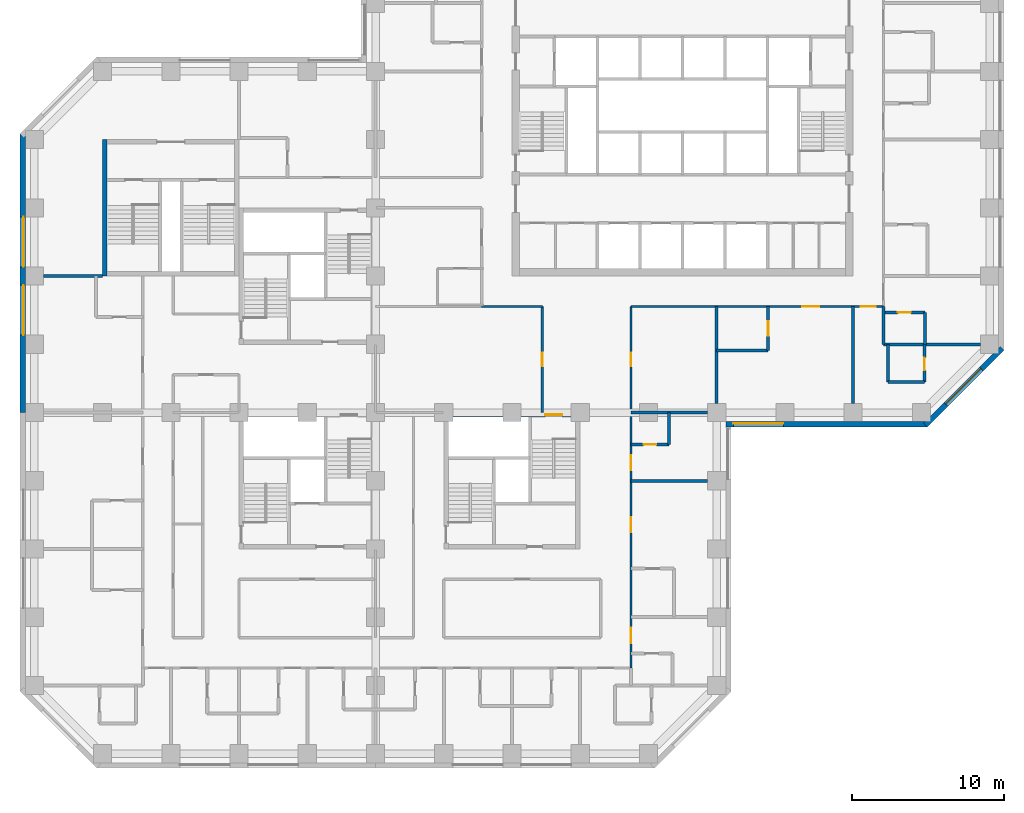
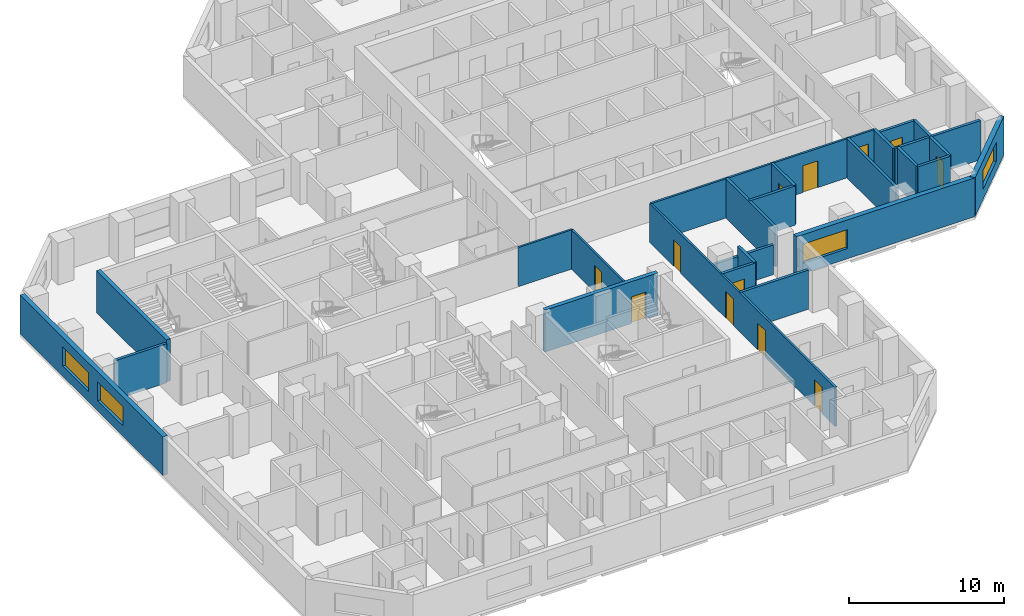
# One storey, part 5 of 12: 25 walls, 12 doors, 4 windows, 16 openings.
"""IFC4 building model written with IfcOpenShell, lengths in metres."""

from ifc_helpers import new_model, si_unit, direction, frame, frame_2d, origin, place, context, subcontext, project, spatial, rectangle, extrude, material, layer, layer_set, constituent, constituent_set, type_object, element, fill, save


model = new_model("IFC4")

# Units and contexts
model_context = context("Model", 3, precision=1e-05, world=origin(), true_north=direction((0.0, 1.0)))
body_context = subcontext(model_context, "Body", "Model", "MODEL_VIEW")
ifc_project = project(units=[si_unit("LENGTHUNIT", "METRE"), si_unit("AREAUNIT", "SQUARE_METRE"), si_unit("VOLUMEUNIT", "CUBIC_METRE"), si_unit("PLANEANGLEUNIT", "RADIAN"), si_unit("MASSUNIT", "GRAM", prefix="KILO")], contexts=[model_context])

# Site, building, storey
site_placement = place(None, origin())
site = spatial("IfcSite", under=ifc_project, at=site_placement, CompositionType="ELEMENT")
building_placement = place(site_placement, origin())
building = spatial("IfcBuilding", under=site, at=building_placement, Name="Quoin Convention Tower", CompositionType="ELEMENT")
storey_placement = place(building_placement, frame((0.0, 0.0, 29.699951171875)))
storey = spatial("IfcBuildingStorey", under=building, at=storey_placement, Name="L06", CompositionType="ELEMENT", Elevation=29.699951171875)

# Wall, opening, window
ifc_material_1 = material(Name="Brick masonry", Category="masonry")
ifc_layer_1 = layer(ifc_material_1, 0.35009765625)
ifc_layer_set_1 = layer_set([ifc_layer_1], Name="Brick masonry")
wall_type_1 = type_object("IfcWallType", Name="Brick facade wall", PredefinedType="STANDARD", material=ifc_layer_set_1)
wall_1_placement = place(storey_placement, frame((59.10009765625, 39.72509765625, 0.0), z_axis=(0.0, 0.0, 1.0), x_axis=(1.0, 0.0, 0.0)))
wall_1 = element("IfcWall", 1, at=wall_1_placement, inside=storey, type_object=wall_type_1, Name="fw-L06-58500_40500", PredefinedType="STANDARD", context=body_context, shape_type="SweptSolid", body=[
    extrude(rectangle(XDim=13.29345703125, YDim=0.35009765625, at=frame_2d((6.646728515625, 0.0))), origin(), (0.0, 0.0, 1.0), 3.054931640625),
])
opening_1_placement = place(wall_1_placement, frame((0.5, 0.0, 0.800048828125)))
opening_1 = element("IfcOpeningElement", 2, at=opening_1_placement, cuts=wall_1, Name="Opening W-01", PredefinedType="OPENING", context=body_context, shape_type="SweptSolid", body=[
    extrude(rectangle(XDim=3.300048828125, YDim=1.5, at=frame_2d((1.64990234375, 0.75))), frame((0.0, 0.18505859375, 0.0), z_axis=(0.0, -1.0, 0.0), x_axis=(1.0, 0.0, 0.0)), (0.0, 0.0, 1.0), 0.3701171875),
])
ifc_material_2 = material(Name="Aluminium", Category="aluminium")
ifc_constituent_1 = constituent(ifc_material_2, Name="Frame")
ifc_material_3 = material(Name="Insulated glass", Category="glass")
ifc_constituent_2 = constituent(ifc_material_3, Name="Glazing")
ifc_constituent_set = constituent_set(constituents=[ifc_constituent_1, ifc_constituent_2], Name="Aluminium")
window_type = type_object("IfcWindowType", Name="Hotel strip window", PartitioningType="DOUBLE_PANEL_VERTICAL", PredefinedType="WINDOW", material=ifc_constituent_set)
window_1_placement = place(opening_1_placement, origin())
window_1 = element("IfcWindow", 3, at=window_1_placement, inside=storey, type_object=window_type, Name="win-L06-60750_39725", OverallHeight=1.5, OverallWidth=3.300048828125, PartitioningType="SINGLE_PANEL", PredefinedType="WINDOW", context=body_context, shape_type="SweptSolid", body=[
    extrude(rectangle(XDim=3.300048828125, YDim=1.5, at=frame_2d((1.64990234375, 0.75))), frame((0.0, 0.0849609375, 0.0), z_axis=(0.0, -1.0, 0.0), x_axis=(1.0, 0.0, 0.0)), (0.0, 0.0, 1.0), 0.06005859375),
])
fill(opening_1, window_1)

wall_2_placement = place(storey_placement, frame((72.269775390625, 39.673583984375, 0.0), z_axis=(0.0, 0.0, 1.0), x_axis=(0.707106781187, 0.707106781187, 0.0)))
wall_2 = element("IfcWall", 4, at=wall_2_placement, inside=storey, type_object=wall_type_1, Name="fw-L06-72000_40500", PredefinedType="STANDARD", context=body_context, shape_type="SweptSolid", body=[
    extrude(rectangle(XDim=7.151123046875, YDim=0.35009765625, at=frame_2d((3.57568359375, 0.0))), origin(), (0.0, 0.0, 1.0), 3.054931640625),
])
opening_2_placement = place(wall_2_placement, frame((1.925537109375, 0.0, 0.800048828125)))
opening_2 = element("IfcOpeningElement", 5, at=opening_2_placement, cuts=wall_2, Name="Opening W-01", PredefinedType="OPENING", context=body_context, shape_type="SweptSolid", body=[
    extrude(rectangle(XDim=3.300048828125, YDim=1.5, at=frame_2d((1.64990234375, 0.75))), frame((0.0, 0.18505859375, 0.0), z_axis=(0.0, -1.0, 0.0), x_axis=(1.0, 0.0, 0.0)), (0.0, 0.0, 1.0), 0.3701171875),
])
window_2_placement = place(opening_2_placement, origin())
window_2 = element("IfcWindow", 6, at=window_2_placement, inside=storey, type_object=window_type, Name="win-L06-74798_42202", OverallHeight=1.5, OverallWidth=3.300048828125, PartitioningType="SINGLE_PANEL", PredefinedType="WINDOW", context=body_context, shape_type="SweptSolid", body=[
    extrude(rectangle(XDim=3.300048828125, YDim=1.5, at=frame_2d((1.64990234375, 0.75))), frame((0.0, 0.0849609375, 0.0), z_axis=(0.0, -1.0, 0.0), x_axis=(1.0, 0.0, 0.0)), (0.0, 0.0, 1.0), 0.06005859375),
])
fill(opening_2, window_2)

# Wall, openings, windows
wall_3_placement = place(storey_placement, frame((12.72509765625, 58.8935546875, 0.0), z_axis=(0.0, 0.0, 1.0), x_axis=(0.0, -1.0, 0.0)))
wall_3 = element("IfcWall", 7, at=wall_3_placement, inside=storey, type_object=wall_type_1, Name="fw-L06-13500_58500", PredefinedType="STANDARD", context=body_context, shape_type="SweptSolid", body=[
    extrude(rectangle(XDim=18.3935546875, YDim=0.35009765625, at=frame_2d((9.19677734375, 0.0))), origin(), (0.0, 0.0, 1.0), 3.054931640625),
])
opening_3_placement = place(wall_3_placement, frame((5.493408203125, 0.0, 0.800048828125)))
opening_3 = element("IfcOpeningElement", 8, at=opening_3_placement, cuts=wall_3, Name="Opening W-01", PredefinedType="OPENING", context=body_context, shape_type="SweptSolid", body=[
    extrude(rectangle(XDim=3.300048828125, YDim=1.5, at=frame_2d((1.64990234375, 0.75))), frame((0.0, 0.18505859375, 0.0), z_axis=(0.0, -1.0, 0.0), x_axis=(1.0, 0.0, 0.0)), (0.0, 0.0, 1.0), 0.3701171875),
])
opening_4_placement = place(wall_3_placement, frame((9.993408203125, 0.0, 0.800048828125)))
opening_4 = element("IfcOpeningElement", 9, at=opening_4_placement, cuts=wall_3, Name="Opening W-01", PredefinedType="OPENING", context=body_context, shape_type="SweptSolid", body=[
    extrude(rectangle(XDim=3.300048828125, YDim=1.5, at=frame_2d((1.64990234375, 0.75))), frame((0.0, 0.18505859375, 0.0), z_axis=(0.0, -1.0, 0.0), x_axis=(1.0, 0.0, 0.0)), (0.0, 0.0, 1.0), 0.3701171875),
])
window_3_placement = place(opening_3_placement, origin())
window_3 = element("IfcWindow", 10, at=window_3_placement, inside=storey, type_object=window_type, Name="win-L06-12725_51750", OverallHeight=1.5, OverallWidth=3.300048828125, PartitioningType="SINGLE_PANEL", PredefinedType="WINDOW", context=body_context, shape_type="SweptSolid", body=[
    extrude(rectangle(XDim=3.300048828125, YDim=1.5, at=frame_2d((1.64990234375, 0.75))), frame((0.0, 0.0849609375, 0.0), z_axis=(0.0, -1.0, 0.0), x_axis=(1.0, 0.0, 0.0)), (0.0, 0.0, 1.0), 0.06005859375),
])
fill(opening_3, window_3)
window_4_placement = place(opening_4_placement, origin())
window_4 = element("IfcWindow", 11, at=window_4_placement, inside=storey, type_object=window_type, Name="win-L06-12725_47250", OverallHeight=1.5, OverallWidth=3.300048828125, PartitioningType="SINGLE_PANEL", PredefinedType="WINDOW", context=body_context, shape_type="SweptSolid", body=[
    extrude(rectangle(XDim=3.300048828125, YDim=1.5, at=frame_2d((1.64990234375, 0.75))), frame((0.0, 0.0849609375, 0.0), z_axis=(0.0, -1.0, 0.0), x_axis=(1.0, 0.0, 0.0)), (0.0, 0.0, 1.0), 0.06005859375),
])
fill(opening_4, window_4)

# Wall, opening, door
ifc_material_4 = material(Name="Concrete C80", Category="concrete")
ifc_layer_2 = layer(ifc_material_4, 0.300048828125)
ifc_layer_set_2 = layer_set([ifc_layer_2], Name="Concrete C80")
wall_type_2 = type_object("IfcWallType", Name="RC CORE WALL 300 C80", PredefinedType="SHEAR", material=ifc_layer_set_2)
wall_4_placement = place(storey_placement, frame((40.800048828125, 40.35009765625, 0.0), z_axis=(0.0, 0.0, 1.0), x_axis=(1.0, 0.0, 0.0)))
wall_4 = element("IfcWall", 12, at=wall_4_placement, inside=storey, type_object=wall_type_2, Name="cwl-P3-L06-N", PredefinedType="SHEAR", context=body_context, shape_type="SweptSolid", body=[
    extrude(rectangle(XDim=8.39990234375, YDim=0.300048828125, at=frame_2d((4.199951171875, 0.0))), origin(), (0.0, 0.0, 1.0), 3.300048828125),
])
opening_5_placement = place(wall_4_placement, frame((6.39990234375, 0.0, 0.0)))
opening_5 = element("IfcOpeningElement", 13, at=opening_5_placement, cuts=wall_4, Name="Opening SD6", PredefinedType="OPENING", context=body_context, shape_type="SweptSolid", body=[
    extrude(rectangle(XDim=1.10009765625, YDim=2.10009765625, at=frame_2d((0.550048828125, 1.050048828125))), frame((0.0, 0.159912109375, 0.0), z_axis=(0.0, -1.0, 0.0), x_axis=(1.0, 0.0, 0.0)), (0.0, 0.0, 1.0), 0.320068359375),
])
ifc_material_5 = material(Name="Steel door leaf", Category="steel")
door_type_1 = type_object("IfcDoorType", Name="Stair door 1100 x 2100", OperationType="SINGLE_SWING_RIGHT", PredefinedType="DOOR", material=ifc_material_5)
door_1_placement = place(opening_5_placement, frame((1.10009765625, 0.0, 0.0), z_axis=(0.0, 0.0, 1.0), x_axis=(-1.0, 0.0, 0.0)))
door_1 = element("IfcDoor", 14, at=door_1_placement, inside=storey, type_object=door_type_1, Name="cd-P3-L06-SB-N", OperationType="SINGLE_SWING_LEFT", OverallHeight=2.10009765625, OverallWidth=1.10009765625, PredefinedType="DOOR", context=body_context, shape_type="SweptSolid", body=[
    extrude(rectangle(XDim=1.10009765625, YDim=2.10009765625, at=frame_2d((0.550048828125, 1.050048828125))), frame((0.0, 0.02490234375, 0.0), z_axis=(0.0, -1.0, 0.0), x_axis=(1.0, 0.0, 0.0)), (0.0, 0.0, 1.0), 0.050048828125),
])
fill(opening_5, door_1)

# Walls
wall_5_placement = place(storey_placement, frame((18.14990234375, 49.5, 0.0), z_axis=(0.0, 0.0, 1.0), x_axis=(0.0, 1.0, 0.0)))
element("IfcWall", 15, at=wall_5_placement, inside=storey, type_object=wall_type_2, Name="cwl-P6-L06-W", PredefinedType="SHEAR", context=body_context, shape_type="SweptSolid", body=[
    extrude(rectangle(XDim=9.0, YDim=0.300048828125, at=frame_2d((4.5, 0.0))), origin(), (0.0, 0.0, 1.0), 3.300048828125),
])
ifc_material_6 = material(Name="Concrete C50", Category="concrete")
ifc_layer_3 = layer(ifc_material_6, 0.199951171875)
ifc_layer_set_3 = layer_set([ifc_layer_3], Name="Concrete C50")
wall_type_3 = type_object("IfcWallType", Name="RC party wall", PredefinedType="SOLIDWALL", material=ifc_layer_set_3)
wall_6_placement = place(storey_placement, frame((52.85009765625, 36.0, 0.0), z_axis=(0.0, 0.0, 1.0), x_axis=(1.0, 0.0, 0.0)))
element("IfcWall", 16, at=wall_6_placement, inside=storey, type_object=wall_type_3, Name="pw-L06-072", PredefinedType="SOLIDWALL", context=body_context, shape_type="SweptSolid", body=[
    extrude(rectangle(XDim=5.0498046875, YDim=0.199951171875, at=frame_2d((2.52490234375, 0.0))), origin(), (0.0, 0.0, 1.0), 3.080078125),
])

# Wall, opening, door
wall_7_placement = place(storey_placement, frame((52.85009765625, 38.39990234375, 0.0), z_axis=(0.0, 0.0, 1.0), x_axis=(1.0, 0.0, 0.0)))
wall_7 = element("IfcWall", 17, at=wall_7_placement, inside=storey, type_object=wall_type_3, Name="pw-L06-073", PredefinedType="SOLIDWALL", context=body_context, shape_type="SweptSolid", body=[
    extrude(rectangle(XDim=2.5, YDim=0.199951171875, at=frame_2d((1.25, 0.0))), origin(), (0.0, 0.0, 1.0), 3.080078125),
])
opening_6_placement = place(wall_7_placement, frame((0.824951171875, 0.0, 0.0)))
opening_6 = element("IfcOpeningElement", 18, at=opening_6_placement, cuts=wall_7, Name="Opening DHOTEL-B-54", PredefinedType="OPENING", context=body_context, shape_type="SweptSolid", body=[
    extrude(rectangle(XDim=0.85009765625, YDim=2.10009765625, at=frame_2d((0.425048828125, 1.050048828125))), frame((0.0, 0.10986328125, 0.0), z_axis=(0.0, -1.0, 0.0), x_axis=(1.0, 0.0, 0.0)), (0.0, 0.0, 1.0), 0.219970703125),
])
door_type_2 = type_object("IfcDoorType", Name="Bathroom door", OperationType="SINGLE_SWING_LEFT", PredefinedType="DOOR", material=ifc_material_5)
door_2_placement = place(opening_6_placement, origin())
door_2 = element("IfcDoor", 19, at=door_2_placement, inside=storey, type_object=door_type_2, Name="dr-L06-026", OperationType="SINGLE_SWING_LEFT", OverallHeight=2.10009765625, OverallWidth=0.85009765625, PredefinedType="DOOR", context=body_context, shape_type="SweptSolid", body=[
    extrude(rectangle(XDim=0.85009765625, YDim=2.10009765625, at=frame_2d((0.425048828125, 1.050048828125))), frame((0.0, 0.02490234375, 0.0), z_axis=(0.0, -1.0, 0.0), x_axis=(1.0, 0.0, 0.0)), (0.0, 0.0, 1.0), 0.050048828125),
])
fill(opening_6, door_2)

# Walls
wall_8_placement = place(storey_placement, frame((55.35009765625, 38.39990234375, 0.0), z_axis=(0.0, 0.0, 1.0), x_axis=(0.0, 1.0, 0.0)))
element("IfcWall", 20, at=wall_8_placement, inside=storey, type_object=wall_type_3, Name="pw-L06-074", PredefinedType="SOLIDWALL", context=body_context, shape_type="SweptSolid", body=[
    extrude(rectangle(XDim=2.10009765625, YDim=0.199951171875, at=frame_2d((1.050048828125, 0.0))), origin(), (0.0, 0.0, 1.0), 3.080078125),
])
wall_9_placement = place(storey_placement, frame((67.5, 41.10009765625, 0.0), z_axis=(0.0, 0.0, 1.0), x_axis=(0.0, 1.0, 0.0)))
element("IfcWall", 21, at=wall_9_placement, inside=storey, type_object=wall_type_3, Name="pw-L06-076", PredefinedType="SOLIDWALL", context=body_context, shape_type="SweptSolid", body=[
    extrude(rectangle(XDim=6.39990234375, YDim=0.199951171875, at=frame_2d((3.199951171875, 0.0))), origin(), (0.0, 0.0, 1.0), 3.080078125),
])
wall_10_placement = place(storey_placement, frame((69.800048828125, 42.5, 0.0), z_axis=(0.0, 0.0, 1.0), x_axis=(1.0, 0.0, 0.0)))
element("IfcWall", 22, at=wall_10_placement, inside=storey, type_object=wall_type_3, Name="pw-L06-077", PredefinedType="SOLIDWALL", context=body_context, shape_type="SweptSolid", body=[
    extrude(rectangle(XDim=2.39990234375, YDim=0.199951171875, at=frame_2d((1.199951171875, 0.0))), origin(), (0.0, 0.0, 1.0), 3.080078125),
])
wall_11_placement = place(storey_placement, frame((69.800048828125, 42.5, 0.0), z_axis=(0.0, 0.0, 1.0), x_axis=(0.0, 1.0, 0.0)))
element("IfcWall", 23, at=wall_11_placement, inside=storey, type_object=wall_type_3, Name="pw-L06-078", PredefinedType="SOLIDWALL", context=body_context, shape_type="SweptSolid", body=[
    extrude(rectangle(XDim=2.5, YDim=0.199951171875, at=frame_2d((1.25, 0.0))), origin(), (0.0, 0.0, 1.0), 3.080078125),
])

# Wall, opening, door
wall_12_placement = place(storey_placement, frame((72.199951171875, 42.5, 0.0), z_axis=(0.0, 0.0, 1.0), x_axis=(0.0, 1.0, 0.0)))
wall_12 = element("IfcWall", 24, at=wall_12_placement, inside=storey, type_object=wall_type_3, Name="pw-L06-079", PredefinedType="SOLIDWALL", context=body_context, shape_type="SweptSolid", body=[
    extrude(rectangle(XDim=2.5, YDim=0.199951171875, at=frame_2d((1.25, 0.0))), origin(), (0.0, 0.0, 1.0), 3.080078125),
])
opening_7_placement = place(wall_12_placement, frame((0.77490234375, 0.0, 0.0)))
opening_7 = element("IfcOpeningElement", 25, at=opening_7_placement, cuts=wall_12, Name="Opening DHOTEL-B-55", PredefinedType="OPENING", context=body_context, shape_type="SweptSolid", body=[
    extrude(rectangle(XDim=0.85009765625, YDim=2.10009765625, at=frame_2d((0.425048828125, 1.050048828125))), frame((0.0, 0.10986328125, 0.0), z_axis=(0.0, -1.0, 0.0), x_axis=(1.0, 0.0, 0.0)), (0.0, 0.0, 1.0), 0.219970703125),
])
door_3_placement = place(opening_7_placement, frame((0.85009765625, 0.0, 0.0), z_axis=(0.0, 0.0, 1.0), x_axis=(-1.0, 0.0, 0.0)))
door_3 = element("IfcDoor", 26, at=door_3_placement, inside=storey, type_object=door_type_2, Name="dr-L06-068", OperationType="SINGLE_SWING_LEFT", OverallHeight=2.10009765625, OverallWidth=0.85009765625, PredefinedType="DOOR", context=body_context, shape_type="SweptSolid", body=[
    extrude(rectangle(XDim=0.85009765625, YDim=2.10009765625, at=frame_2d((0.425048828125, 1.050048828125))), frame((0.0, 0.02490234375, 0.0), z_axis=(0.0, -1.0, 0.0), x_axis=(1.0, 0.0, 0.0)), (0.0, 0.0, 1.0), 0.050048828125),
])
fill(opening_7, door_3)

# Wall
wall_13_placement = place(storey_placement, frame((58.5, 44.60009765625, 0.0), z_axis=(0.0, 0.0, 1.0), x_axis=(1.0, 0.0, 0.0)))
element("IfcWall", 27, at=wall_13_placement, inside=storey, type_object=wall_type_3, Name="pw-L06-080", PredefinedType="SOLIDWALL", context=body_context, shape_type="SweptSolid", body=[
    extrude(rectangle(XDim=3.39990234375, YDim=0.199951171875, at=frame_2d((1.699951171875, 0.0))), origin(), (0.0, 0.0, 1.0), 3.080078125),
])

# Wall, opening, door
wall_14_placement = place(storey_placement, frame((61.89990234375, 44.60009765625, 0.0), z_axis=(0.0, 0.0, 1.0), x_axis=(0.0, 1.0, 0.0)))
wall_14 = element("IfcWall", 28, at=wall_14_placement, inside=storey, type_object=wall_type_3, Name="pw-L06-081", PredefinedType="SOLIDWALL", context=body_context, shape_type="SweptSolid", body=[
    extrude(rectangle(XDim=2.89990234375, YDim=0.199951171875, at=frame_2d((1.449951171875, 0.0))), origin(), (0.0, 0.0, 1.0), 3.080078125),
])
opening_8_placement = place(wall_14_placement, frame((0.97509765625, 0.0, 0.0)))
opening_8 = element("IfcOpeningElement", 29, at=opening_8_placement, cuts=wall_14, Name="Opening DHOTEL-B-56", PredefinedType="OPENING", context=body_context, shape_type="SweptSolid", body=[
    extrude(rectangle(XDim=0.949951171875, YDim=2.10009765625, at=frame_2d((0.47509765625, 1.050048828125))), frame((0.0, 0.10986328125, 0.0), z_axis=(0.0, -1.0, 0.0), x_axis=(1.0, 0.0, 0.0)), (0.0, 0.0, 1.0), 0.219970703125),
])
door_type_3 = type_object("IfcDoorType", Name="Accessible bathroom door", OperationType="SINGLE_SWING_LEFT", PredefinedType="DOOR", material=ifc_material_5)
door_4_placement = place(opening_8_placement, frame((0.949951171875, 0.0, 0.0), z_axis=(0.0, 0.0, 1.0), x_axis=(-1.0, 0.0, 0.0)))
door_4 = element("IfcDoor", 30, at=door_4_placement, inside=storey, type_object=door_type_3, Name="dr-L06-056", OperationType="SINGLE_SWING_LEFT", OverallHeight=2.10009765625, OverallWidth=0.949951171875, PredefinedType="DOOR", context=body_context, shape_type="SweptSolid", body=[
    extrude(rectangle(XDim=0.949951171875, YDim=2.10009765625, at=frame_2d((0.47509765625, 1.050048828125))), frame((0.0, 0.02490234375, 0.0), z_axis=(0.0, -1.0, 0.0), x_axis=(1.0, 0.0, 0.0)), (0.0, 0.0, 1.0), 0.050048828125),
])
fill(opening_8, door_4)

# Walls
wall_15_placement = place(storey_placement, frame((69.5, 45.0, 0.0), z_axis=(0.0, 0.0, 1.0), x_axis=(1.0, 0.0, 0.0)))
element("IfcWall", 31, at=wall_15_placement, inside=storey, type_object=wall_type_3, Name="pw-L06-082", PredefinedType="SOLIDWALL", context=body_context, shape_type="SweptSolid", body=[
    extrude(rectangle(XDim=6.39990234375, YDim=0.199951171875, at=frame_2d((3.199951171875, 0.0))), origin(), (0.0, 0.0, 1.0), 3.080078125),
])
wall_16_placement = place(storey_placement, frame((69.5, 45.0, 0.0), z_axis=(0.0, 0.0, 1.0), x_axis=(0.0, 1.0, 0.0)))
element("IfcWall", 32, at=wall_16_placement, inside=storey, type_object=wall_type_3, Name="pw-L06-083", PredefinedType="SOLIDWALL", context=body_context, shape_type="SweptSolid", body=[
    extrude(rectangle(XDim=2.5, YDim=0.199951171875, at=frame_2d((1.25, 0.0))), origin(), (0.0, 0.0, 1.0), 3.080078125),
])
wall_17_placement = place(storey_placement, frame((72.25, 45.0, 0.0), z_axis=(0.0, 0.0, 1.0), x_axis=(0.0, 1.0, 0.0)))
element("IfcWall", 33, at=wall_17_placement, inside=storey, type_object=wall_type_3, Name="pw-L06-084", PredefinedType="SOLIDWALL", context=body_context, shape_type="SweptSolid", body=[
    extrude(rectangle(XDim=2.10009765625, YDim=0.199951171875, at=frame_2d((1.050048828125, 0.0))), origin(), (0.0, 0.0, 1.0), 3.080078125),
])

# Wall, opening, door
wall_18_placement = place(storey_placement, frame((69.5, 47.10009765625, 0.0), z_axis=(0.0, 0.0, 1.0), x_axis=(1.0, 0.0, 0.0)))
wall_18 = element("IfcWall", 34, at=wall_18_placement, inside=storey, type_object=wall_type_3, Name="pw-L06-087", PredefinedType="SOLIDWALL", context=body_context, shape_type="SweptSolid", body=[
    extrude(rectangle(XDim=2.75, YDim=0.199951171875, at=frame_2d((1.375, 0.0))), origin(), (0.0, 0.0, 1.0), 3.080078125),
])
opening_9_placement = place(wall_18_placement, frame((0.949951171875, 0.0, 0.0)))
opening_9 = element("IfcOpeningElement", 35, at=opening_9_placement, cuts=wall_18, Name="Opening DHOTEL-B-58", PredefinedType="OPENING", context=body_context, shape_type="SweptSolid", body=[
    extrude(rectangle(XDim=0.85009765625, YDim=2.10009765625, at=frame_2d((0.425048828125, 1.050048828125))), frame((0.0, 0.10986328125, 0.0), z_axis=(0.0, -1.0, 0.0), x_axis=(1.0, 0.0, 0.0)), (0.0, 0.0, 1.0), 0.219970703125),
])
door_5_placement = place(opening_9_placement, origin())
door_5 = element("IfcDoor", 36, at=door_5_placement, inside=storey, type_object=door_type_2, Name="dr-L06-054", OperationType="SINGLE_SWING_RIGHT", OverallHeight=2.10009765625, OverallWidth=0.85009765625, PredefinedType="DOOR", context=body_context, shape_type="SweptSolid", body=[
    extrude(rectangle(XDim=0.85009765625, YDim=2.10009765625, at=frame_2d((0.425048828125, 1.050048828125))), frame((0.0, 0.02490234375, 0.0), z_axis=(0.0, -1.0, 0.0), x_axis=(1.0, 0.0, 0.0)), (0.0, 0.0, 1.0), 0.050048828125),
])
fill(opening_9, door_5)

# Wall
wall_19_placement = place(storey_placement, frame((14.10009765625, 49.5, 0.0), z_axis=(0.0, 0.0, 1.0), x_axis=(1.0, 0.0, 0.0)))
element("IfcWall", 37, at=wall_19_placement, inside=storey, type_object=wall_type_3, Name="pw-L06-088", PredefinedType="SOLIDWALL", context=body_context, shape_type="SweptSolid", body=[
    extrude(rectangle(XDim=3.89990234375, YDim=0.199951171875, at=frame_2d((1.949951171875, 0.0))), origin(), (0.0, 0.0, 1.0), 3.080078125),
])

# Wall, openings, doors
ifc_material_7 = material(Name="Plasterboard")
ifc_layer_4 = layer(ifc_material_7, 0.012451171875, Name="Finish")
ifc_material_8 = material(Name="Steel stud framing", Category="steel")
ifc_layer_5 = layer(ifc_material_8, 0.125, Name="Structure")
ifc_layer_6 = layer(ifc_material_7, 0.012451171875, Name="Finish")
ifc_layer_set_4 = layer_set([ifc_layer_4, ifc_layer_5, ifc_layer_6], Name="Steel stud framing")
wall_type_4 = type_object("IfcWallType", Name="corridor partition", PredefinedType="PARTITIONING", material=ifc_layer_set_4)
wall_20_placement = place(storey_placement, frame((52.85009765625, 23.64990234375, 0.0), z_axis=(0.0, 0.0, 1.0), x_axis=(0.0, 1.0, 0.0)))
wall_20 = element("IfcWall", 38, at=wall_20_placement, inside=storey, type_object=wall_type_4, Name="pw-L06-007", PredefinedType="PARTITIONING", context=body_context, shape_type="SweptSolid", body=[
    extrude(rectangle(XDim=23.85009765625, YDim=0.14990234375, at=frame_2d((11.925048828125, 0.0))), origin(), (0.0, 0.0, 1.0), 3.080078125),
])
opening_10_placement = place(wall_20_placement, frame((1.64990234375, 0.0, 0.0)))
opening_10 = element("IfcOpeningElement", 39, at=opening_10_placement, cuts=wall_20, Name="Opening DHOTEL-B-12", PredefinedType="OPENING", context=body_context, shape_type="SweptSolid", body=[
    extrude(rectangle(XDim=1.0, YDim=2.10009765625, at=frame_2d((0.5, 1.050048828125))), frame((0.0, 0.0849609375, 0.0), z_axis=(0.0, -1.0, 0.0), x_axis=(1.0, 0.0, 0.0)), (0.0, 0.0, 1.0), 0.169921875),
])
opening_11_placement = place(wall_20_placement, frame((8.949951171875, 0.0, 0.0)))
opening_11 = element("IfcOpeningElement", 40, at=opening_11_placement, cuts=wall_20, Name="Opening DHOTEL-B-13", PredefinedType="OPENING", context=body_context, shape_type="SweptSolid", body=[
    extrude(rectangle(XDim=1.0, YDim=2.10009765625, at=frame_2d((0.5, 1.050048828125))), frame((0.0, 0.0849609375, 0.0), z_axis=(0.0, -1.0, 0.0), x_axis=(1.0, 0.0, 0.0)), (0.0, 0.0, 1.0), 0.169921875),
])
opening_12_placement = place(wall_20_placement, frame((13.050048828125, 0.0, 0.0)))
opening_12 = element("IfcOpeningElement", 41, at=opening_12_placement, cuts=wall_20, Name="Opening DHOTEL-B-14", PredefinedType="OPENING", context=body_context, shape_type="SweptSolid", body=[
    extrude(rectangle(XDim=1.0, YDim=2.10009765625, at=frame_2d((0.5, 1.050048828125))), frame((0.0, 0.0849609375, 0.0), z_axis=(0.0, -1.0, 0.0), x_axis=(1.0, 0.0, 0.0)), (0.0, 0.0, 1.0), 0.169921875),
])
opening_13_placement = place(wall_20_placement, frame((19.89990234375, 0.0, 0.0)))
opening_13 = element("IfcOpeningElement", 42, at=opening_13_placement, cuts=wall_20, Name="Opening DHOTEL-B-15", PredefinedType="OPENING", context=body_context, shape_type="SweptSolid", body=[
    extrude(rectangle(XDim=0.89990234375, YDim=2.10009765625, at=frame_2d((0.449951171875, 1.050048828125))), frame((0.0, 0.0849609375, 0.0), z_axis=(0.0, -1.0, 0.0), x_axis=(1.0, 0.0, 0.0)), (0.0, 0.0, 1.0), 0.169921875),
])
door_type_4 = type_object("IfcDoorType", Name="Hotel room door", OperationType="SINGLE_SWING_LEFT", PredefinedType="DOOR", material=ifc_material_5)
door_6_placement = place(opening_10_placement, frame((1.0, 0.0, 0.0), z_axis=(0.0, 0.0, 1.0), x_axis=(-1.0, 0.0, 0.0)))
door_6 = element("IfcDoor", 43, at=door_6_placement, inside=storey, type_object=door_type_4, Name="dr-L06-021", OperationType="SINGLE_SWING_LEFT", OverallHeight=2.10009765625, OverallWidth=1.0, PredefinedType="DOOR", context=body_context, shape_type="SweptSolid", body=[
    extrude(rectangle(XDim=1.0, YDim=2.10009765625, at=frame_2d((0.5, 1.050048828125))), frame((0.0, 0.02490234375, 0.0), z_axis=(0.0, -1.0, 0.0), x_axis=(1.0, 0.0, 0.0)), (0.0, 0.0, 1.0), 0.050048828125),
])
fill(opening_10, door_6)
door_7_placement = place(opening_11_placement, frame((1.0, 0.0, 0.0), z_axis=(0.0, 0.0, 1.0), x_axis=(-1.0, 0.0, 0.0)))
door_7 = element("IfcDoor", 44, at=door_7_placement, inside=storey, type_object=door_type_4, Name="dr-L06-023", OperationType="SINGLE_SWING_LEFT", OverallHeight=2.10009765625, OverallWidth=1.0, PredefinedType="DOOR", context=body_context, shape_type="SweptSolid", body=[
    extrude(rectangle(XDim=1.0, YDim=2.10009765625, at=frame_2d((0.5, 1.050048828125))), frame((0.0, 0.02490234375, 0.0), z_axis=(0.0, -1.0, 0.0), x_axis=(1.0, 0.0, 0.0)), (0.0, 0.0, 1.0), 0.050048828125),
])
fill(opening_11, door_7)
door_8_placement = place(opening_12_placement, frame((1.0, 0.0, 0.0), z_axis=(0.0, 0.0, 1.0), x_axis=(-1.0, 0.0, 0.0)))
door_8 = element("IfcDoor", 45, at=door_8_placement, inside=storey, type_object=door_type_4, Name="dr-L06-025", OperationType="SINGLE_SWING_LEFT", OverallHeight=2.10009765625, OverallWidth=1.0, PredefinedType="DOOR", context=body_context, shape_type="SweptSolid", body=[
    extrude(rectangle(XDim=1.0, YDim=2.10009765625, at=frame_2d((0.5, 1.050048828125))), frame((0.0, 0.02490234375, 0.0), z_axis=(0.0, -1.0, 0.0), x_axis=(1.0, 0.0, 0.0)), (0.0, 0.0, 1.0), 0.050048828125),
])
fill(opening_12, door_8)
door_type_5 = type_object("IfcDoorType", Name="Service room door", OperationType="SINGLE_SWING_LEFT", PredefinedType="DOOR", material=ifc_material_5)
door_9_placement = place(opening_13_placement, frame((0.89990234375, 0.0, 0.0), z_axis=(0.0, 0.0, 1.0), x_axis=(-1.0, 0.0, 0.0)))
door_9 = element("IfcDoor", 46, at=door_9_placement, inside=storey, type_object=door_type_5, Name="dr-L06-077", OperationType="SINGLE_SWING_LEFT", OverallHeight=2.10009765625, OverallWidth=0.89990234375, PredefinedType="DOOR", context=body_context, shape_type="SweptSolid", body=[
    extrude(rectangle(XDim=0.89990234375, YDim=2.10009765625, at=frame_2d((0.449951171875, 1.050048828125))), frame((0.0, 0.02490234375, 0.0), z_axis=(0.0, -1.0, 0.0), x_axis=(1.0, 0.0, 0.0)), (0.0, 0.0, 1.0), 0.050048828125),
])
fill(opening_13, door_9)

# Wall, opening, door
wall_21_placement = place(storey_placement, frame((47.0, 40.5, 0.0), z_axis=(0.0, 0.0, 1.0), x_axis=(0.0, 1.0, 0.0)))
wall_21 = element("IfcWall", 47, at=wall_21_placement, inside=storey, type_object=wall_type_4, Name="pw-L06-024", PredefinedType="PARTITIONING", context=body_context, shape_type="SweptSolid", body=[
    extrude(rectangle(XDim=7.0, YDim=0.14990234375, at=frame_2d((3.5, 0.0))), origin(), (0.0, 0.0, 1.0), 3.080078125),
])
opening_14_placement = place(wall_21_placement, frame((3.050048828125, 0.0, 0.0)))
opening_14 = element("IfcOpeningElement", 48, at=opening_14_placement, cuts=wall_21, Name="Opening DHOTEL-B-21", PredefinedType="OPENING", context=body_context, shape_type="SweptSolid", body=[
    extrude(rectangle(XDim=0.89990234375, YDim=2.10009765625, at=frame_2d((0.449951171875, 1.050048828125))), frame((0.0, 0.0849609375, 0.0), z_axis=(0.0, -1.0, 0.0), x_axis=(1.0, 0.0, 0.0)), (0.0, 0.0, 1.0), 0.169921875),
])
door_type_6 = type_object("IfcDoorType", Name="Single room door", OperationType="SINGLE_SWING_RIGHT", PredefinedType="DOOR", material=ifc_material_5)
door_10_placement = place(opening_14_placement, origin())
door_10 = element("IfcDoor", 49, at=door_10_placement, inside=storey, type_object=door_type_6, Name="dr-L06-076", OperationType="SINGLE_SWING_RIGHT", OverallHeight=2.10009765625, OverallWidth=0.89990234375, PredefinedType="DOOR", context=body_context, shape_type="SweptSolid", body=[
    extrude(rectangle(XDim=0.89990234375, YDim=2.10009765625, at=frame_2d((0.449951171875, 1.050048828125))), frame((0.0, 0.02490234375, 0.0), z_axis=(0.0, -1.0, 0.0), x_axis=(1.0, 0.0, 0.0)), (0.0, 0.0, 1.0), 0.050048828125),
])
fill(opening_14, door_10)

# Wall
wall_22_placement = place(storey_placement, frame((43.0, 47.5, 0.0), z_axis=(0.0, 0.0, 1.0), x_axis=(1.0, 0.0, 0.0)))
element("IfcWall", 50, at=wall_22_placement, inside=storey, type_object=wall_type_4, Name="pw-L06-028", PredefinedType="PARTITIONING", context=body_context, shape_type="SweptSolid", body=[
    extrude(rectangle(XDim=4.0, YDim=0.14990234375, at=frame_2d((2.0, 0.0))), origin(), (0.0, 0.0, 1.0), 3.080078125),
])

# Wall, openings, doors
wall_23_placement = place(storey_placement, frame((52.85009765625, 47.5, 0.0), z_axis=(0.0, 0.0, 1.0), x_axis=(1.0, 0.0, 0.0)))
wall_23 = element("IfcWall", 51, at=wall_23_placement, inside=storey, type_object=wall_type_4, Name="pw-L06-030", PredefinedType="PARTITIONING", context=body_context, shape_type="SweptSolid", body=[
    extrude(rectangle(XDim=16.64990234375, YDim=0.14990234375, at=frame_2d((8.324951171875, 0.0))), origin(), (0.0, 0.0, 1.0), 3.080078125),
])
opening_15_placement = place(wall_23_placement, frame((11.300048828125, 0.0, 0.0)))
opening_15 = element("IfcOpeningElement", 52, at=opening_15_placement, cuts=wall_23, Name="Opening DHOTEL-B-24", PredefinedType="OPENING", context=body_context, shape_type="SweptSolid", body=[
    extrude(rectangle(XDim=1.10009765625, YDim=2.10009765625, at=frame_2d((0.550048828125, 1.050048828125))), frame((0.0, 0.0849609375, 0.0), z_axis=(0.0, -1.0, 0.0), x_axis=(1.0, 0.0, 0.0)), (0.0, 0.0, 1.0), 0.169921875),
])
opening_16_placement = place(wall_23_placement, frame((15.14990234375, 0.0, 0.0)))
opening_16 = element("IfcOpeningElement", 53, at=opening_16_placement, cuts=wall_23, Name="Opening DHOTEL-B-25", PredefinedType="OPENING", context=body_context, shape_type="SweptSolid", body=[
    extrude(rectangle(XDim=1.0, YDim=2.10009765625, at=frame_2d((0.5, 1.050048828125))), frame((0.0, 0.0849609375, 0.0), z_axis=(0.0, -1.0, 0.0), x_axis=(1.0, 0.0, 0.0)), (0.0, 0.0, 1.0), 0.169921875),
])
door_type_7 = type_object("IfcDoorType", Name="Accessible room door", OperationType="SINGLE_SWING_LEFT", PredefinedType="DOOR", material=ifc_material_5)
door_11_placement = place(opening_15_placement, frame((1.10009765625, 0.0, 0.0), z_axis=(0.0, 0.0, 1.0), x_axis=(-1.0, 0.0, 0.0)))
door_11 = element("IfcDoor", 54, at=door_11_placement, inside=storey, type_object=door_type_7, Name="dr-L06-055", OperationType="SINGLE_SWING_LEFT", OverallHeight=2.10009765625, OverallWidth=1.10009765625, PredefinedType="DOOR", context=body_context, shape_type="SweptSolid", body=[
    extrude(rectangle(XDim=1.10009765625, YDim=2.10009765625, at=frame_2d((0.550048828125, 1.050048828125))), frame((0.0, 0.02490234375, 0.0), z_axis=(0.0, -1.0, 0.0), x_axis=(1.0, 0.0, 0.0)), (0.0, 0.0, 1.0), 0.050048828125),
])
fill(opening_15, door_11)
door_12_placement = place(opening_16_placement, frame((1.0, 0.0, 0.0), z_axis=(0.0, 0.0, 1.0), x_axis=(-1.0, 0.0, 0.0)))
door_12 = element("IfcDoor", 55, at=door_12_placement, inside=storey, type_object=door_type_4, Name="dr-L06-067", OperationType="SINGLE_SWING_LEFT", OverallHeight=2.10009765625, OverallWidth=1.0, PredefinedType="DOOR", context=body_context, shape_type="SweptSolid", body=[
    extrude(rectangle(XDim=1.0, YDim=2.10009765625, at=frame_2d((0.5, 1.050048828125))), frame((0.0, 0.02490234375, 0.0), z_axis=(0.0, -1.0, 0.0), x_axis=(1.0, 0.0, 0.0)), (0.0, 0.0, 1.0), 0.050048828125),
])
fill(opening_16, door_12)

# Walls
ifc_layer_7 = layer(ifc_material_7, 0.012451171875, Name="Finish")
ifc_layer_8 = layer(ifc_material_8, 0.175048828125, Name="Structure")
ifc_layer_9 = layer(ifc_material_7, 0.012451171875, Name="Finish")
ifc_layer_set_5 = layer_set([ifc_layer_7, ifc_layer_8, ifc_layer_9], Name="Steel stud framing")
wall_type_5 = type_object("IfcWallType", Name="guest room compartment wall", PredefinedType="PARTITIONING", material=ifc_layer_set_5)
wall_24_placement = place(storey_placement, frame((58.5, 41.10009765625, 0.0), z_axis=(0.0, 0.0, 1.0), x_axis=(0.0, 1.0, 0.0)))
element("IfcWall", 56, at=wall_24_placement, inside=storey, type_object=wall_type_5, Name="pw-L06-002", PredefinedType="PARTITIONING", context=body_context, shape_type="SweptSolid", body=[
    extrude(rectangle(XDim=6.39990234375, YDim=0.199951171875, at=frame_2d((3.199951171875, 0.0))), origin(), (0.0, 0.0, 1.0), 3.080078125),
])
ifc_layer_10 = layer(ifc_material_7, 0.012451171875, Name="Finish")
ifc_layer_11 = layer(ifc_material_8, 0.175048828125, Name="Structure")
ifc_layer_12 = layer(ifc_material_7, 0.012451171875, Name="Finish")
ifc_layer_set_6 = layer_set([ifc_layer_10, ifc_layer_11, ifc_layer_12], Name="Steel stud framing")
wall_type_6 = type_object("IfcWallType", Name="guest room compartment wall under beam 750", PredefinedType="PARTITIONING", material=ifc_layer_set_6)
wall_25_placement = place(storey_placement, frame((52.85009765625, 40.5, 0.0), z_axis=(0.0, 0.0, 1.0), x_axis=(1.0, 0.0, 0.0)))
element("IfcWall", 57, at=wall_25_placement, inside=storey, type_object=wall_type_6, Name="pw-L06-001", PredefinedType="PARTITIONING", context=body_context, shape_type="SweptSolid", body=[
    extrude(rectangle(XDim=5.0498046875, YDim=0.199951171875, at=frame_2d((2.52490234375, 0.0))), origin(), (0.0, 0.0, 1.0), 2.330078125),
])

save(model, "model.ifc")
